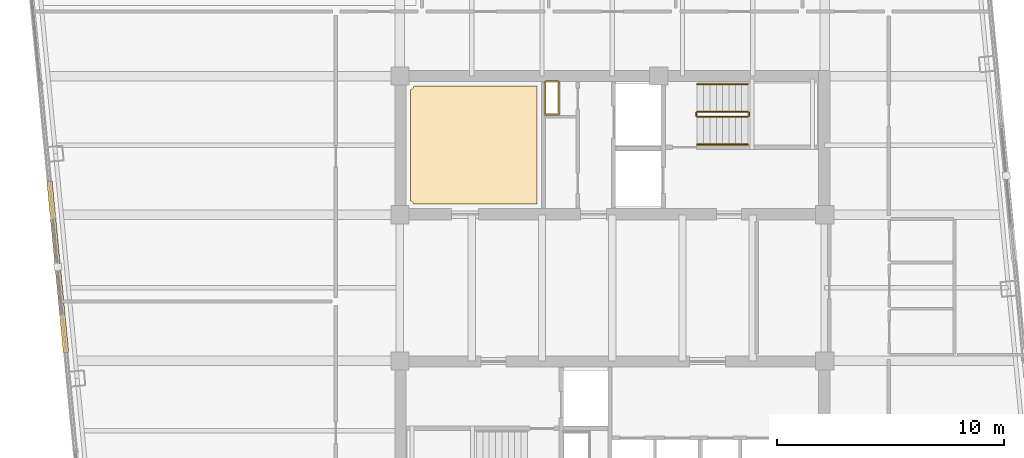
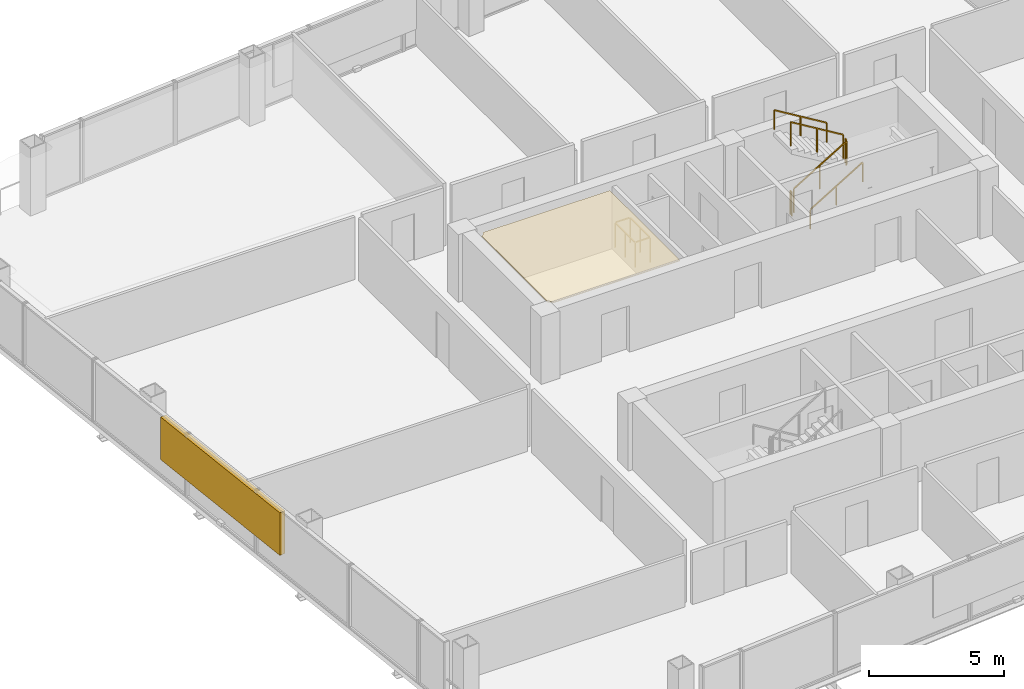
# One storey, part 21 of 22: 7 railings, 1 covering, 1 shading device.
"""IFC4 building model written with IfcOpenShell, lengths in metres."""

from ifc_helpers import new_model, si_unit, direction, frame, origin, origin_2d, place, context, subcontext, project, spatial, polyline, rectangle, outline, extrude, material, layer, layer_set, type_object, element, save


model = new_model("IFC4")

# Units and contexts
model_context = context("Model", 3, precision=1e-05, world=origin(), true_north=direction((0.0, 1.0)))
body_context = subcontext(model_context, "Body", "Model", "MODEL_VIEW")
ifc_project = project(units=[si_unit("LENGTHUNIT", "METRE"), si_unit("AREAUNIT", "SQUARE_METRE"), si_unit("VOLUMEUNIT", "CUBIC_METRE"), si_unit("PLANEANGLEUNIT", "RADIAN"), si_unit("MASSUNIT", "GRAM", prefix="KILO")], contexts=[model_context])

# Site, building, storey
site_placement = place(None, origin())
site = spatial("IfcSite", under=ifc_project, at=site_placement, CompositionType="ELEMENT")
building_placement = place(site_placement, origin())
building = spatial("IfcBuilding", under=site, at=building_placement, Name="Qhalaya Broadcast Tower", CompositionType="ELEMENT")
storey_placement = place(building_placement, frame((0.0, 0.0, 171.39990234375)))
storey = spatial("IfcBuildingStorey", under=building, at=storey_placement, Name="L50", CompositionType="ELEMENT", Elevation=171.39990234375)

# Covering
ifc_material_1 = material(Name="Acoustic Mineral-Fibre Ceiling")
ifc_layer = layer(ifc_material_1, 0.0400390625, Name="Acoustic Mineral-Fibre Ceiling")
ifc_layer_set = layer_set([ifc_layer], Name="Acoustic Mineral-Fibre Ceiling")
covering_type = type_object("IfcCoveringType", Name="Acoustic Mineral-Fibre Suspended Ceiling CLG-01", PredefinedType="CEILING", material=ifc_layer_set)
covering_placement = place(storey_placement, frame((0.0, 0.0, 2.7900390625)))
element("IfcCovering", 1, at=covering_placement, inside=storey, type_object=covering_type, Name="L50 Acoustic Suspended Ceiling 01", PredefinedType="CEILING", context=body_context, shape_type="SweptSolid", body=[
    extrude(outline(polyline([(-8.89697265625, 9.338623046875), (-8.89990234375, 9.337890625), (-8.89990234375, 4.437255859375), (-8.89697265625, 4.436279296875), (-8.87841796875, 4.4296875), (-8.860595703125, 4.42138671875), (-8.843994140625, 4.411376953125), (-8.828125, 4.399658203125), (-8.813720703125, 4.386474609375), (-8.80029296875, 4.371826171875), (-8.788818359375, 4.356201171875), (-8.778564453125, 4.33935546875), (-8.770263671875, 4.321533203125), (-8.763671875, 4.302978515625), (-8.7626953125, 4.300048828125), (-3.330078125, 4.300048828125), (-3.330078125, 9.5), (-8.757568359375, 9.5), (-8.7587890625, 9.490966796875), (-8.763671875, 9.471923828125), (-8.770263671875, 9.45361328125), (-8.778564453125, 9.435791015625), (-8.788818359375, 9.4189453125), (-8.80029296875, 9.403076171875), (-8.813720703125, 9.388671875), (-8.828125, 9.37548828125), (-8.843994140625, 9.36376953125), (-8.860595703125, 9.353515625), (-8.87841796875, 9.34521484375), (-8.89697265625, 9.338623046875)])), origin(), (0.0, 0.0, 1.0), 0.0400390625),
])

# Railings
ifc_material_2 = material(Name="Powder-Coated Galvanised Steel", Category="steel")
railing_type_1 = type_object("IfcRailingType", Name="Stair Wall Handrail 900", PredefinedType="HANDRAIL", material=ifc_material_2)
railing_1_placement = place(storey_placement, frame((3.75, 6.929931640625, 0.16943359375)))
element("IfcRailing", 2, at=railing_1_placement, inside=storey, type_object=railing_type_1, Name="L50 ST-1 Stair Handrail 1", PredefinedType="HANDRAIL", context=body_context, shape_type="SweptSolid", body=[
    extrude(rectangle(XDim=0.048095703125, YDim=0.048095703125, at=origin_2d()), frame((0.0, 0.0, 0.8759765625), z_axis=(0.855512035549, 0.0, 0.517782924622), x_axis=(0.0, 1.0, 0.0)), (0.0, 0.0, 1.0), 2.618408203125),
    extrude(rectangle(XDim=0.0419921875, YDim=0.0419921875, at=origin_2d()), origin(), (0.0, 0.0, 1.0), 0.849853515625),
    extrude(rectangle(XDim=0.0419921875, YDim=0.0419921875, at=origin_2d()), frame((1.1201171875, 0.0, 0.677734375)), (0.0, 0.0, 1.0), 0.849853515625),
    extrude(rectangle(XDim=0.0419921875, YDim=0.0419921875, at=origin_2d()), frame((2.239990234375, 0.0, 1.355712890625)), (0.0, 0.0, 1.0), 0.849853515625),
])
railing_2_placement = place(storey_placement, frame((5.989990234375, 9.590087890625, 1.694580078125)))
element("IfcRailing", 3, at=railing_2_placement, inside=storey, type_object=railing_type_1, Name="L50 ST-1 Stair Handrail 2", PredefinedType="HANDRAIL", context=body_context, shape_type="SweptSolid", body=[
    extrude(rectangle(XDim=0.048095703125, YDim=0.048095703125, at=origin_2d()), frame((0.0, 0.0, 0.8759765625), z_axis=(-0.855553338991, 0.0, 0.51771467445), x_axis=(0.0, -1.0, 0.0)), (0.0, 0.0, 1.0), 2.6181640625),
    extrude(rectangle(XDim=0.0419921875, YDim=0.0419921875, at=origin_2d()), origin(), (0.0, 0.0, 1.0), 0.849853515625),
    extrude(rectangle(XDim=0.0419921875, YDim=0.0419921875, at=origin_2d()), frame((-1.1201171875, 0.0, 0.677734375)), (0.0, 0.0, 1.0), 0.849853515625),
    extrude(rectangle(XDim=0.0419921875, YDim=0.0419921875, at=origin_2d()), frame((-2.239990234375, 0.0, 1.35546875)), (0.0, 0.0, 1.0), 0.849853515625),
])
railing_type_2 = type_object("IfcRailingType", Name="Stair Well & Landing Guardrail 1100", PredefinedType="GUARDRAIL", material=ifc_material_2)
railing_3_placement = place(storey_placement, frame((-2.340087890625, 8.239990234375, 0.0)))
element("IfcRailing", 4, at=railing_3_placement, inside=storey, type_object=railing_type_2, Name="L50 Service Riser Opening Safety Guard NRSR", PredefinedType="GUARDRAIL", context=body_context, shape_type="SweptSolid", body=[
    extrude(rectangle(XDim=0.048095703125, YDim=0.048095703125, at=origin_2d()), frame((0.0, 0.02880859375, 1.1259765625), z_axis=(0.0, 1.0, 0.0), x_axis=(-1.0, 0.0, 0.0)), (0.0, 0.0, 1.0), 1.42236328125),
    extrude(rectangle(XDim=0.048095703125, YDim=0.048095703125, at=origin_2d()), frame((-0.02880859375, 1.47998046875, 1.1259765625), z_axis=(-1.0, 0.0, 0.0), x_axis=(0.0, -1.0, 0.0)), (0.0, 0.0, 1.0), 0.582275390625),
    extrude(rectangle(XDim=0.048095703125, YDim=0.048095703125, at=origin_2d()), frame((-0.639892578125, 1.451171875, 1.1259765625), z_axis=(0.0, -1.0, 0.0), x_axis=(1.0, 0.0, 0.0)), (0.0, 0.0, 1.0), 1.42236328125),
    extrude(rectangle(XDim=0.048095703125, YDim=0.048095703125, at=origin_2d()), frame((-0.611083984375, 0.0, 1.1259765625), z_axis=(1.0, 0.0, 0.0), x_axis=(0.0, 1.0, 0.0)), (0.0, 0.0, 1.0), 0.582275390625),
    extrude(rectangle(XDim=0.0419921875, YDim=0.0419921875, at=origin_2d()), origin(), (0.0, 0.0, 1.0), 1.099853515625),
    extrude(rectangle(XDim=0.0419921875, YDim=0.0419921875, at=origin_2d()), frame((0.0, 0.739990234375, 0.0)), (0.0, 0.0, 1.0), 1.099853515625),
    extrude(rectangle(XDim=0.0419921875, YDim=0.0419921875, at=origin_2d()), frame((0.0, 1.47998046875, 0.0)), (0.0, 0.0, 1.0), 1.099853515625),
    extrude(rectangle(XDim=0.0419921875, YDim=0.0419921875, at=origin_2d()), frame((-0.639892578125, 1.47998046875, 0.0)), (0.0, 0.0, 1.0), 1.099853515625),
    extrude(rectangle(XDim=0.0419921875, YDim=0.0419921875, at=origin_2d()), frame((-0.639892578125, 0.739990234375, 0.0)), (0.0, 0.0, 1.0), 1.099853515625),
    extrude(rectangle(XDim=0.0419921875, YDim=0.0419921875, at=origin_2d()), frame((-0.639892578125, 0.0, 0.0)), (0.0, 0.0, 1.0), 1.099853515625),
])
railing_4_placement = place(storey_placement, frame((3.75, 8.14990234375, 0.16943359375)))
element("IfcRailing", 5, at=railing_4_placement, inside=storey, type_object=railing_type_2, Name="L50 ST-1 Stair Guard 1", PredefinedType="GUARDRAIL", context=body_context, shape_type="SweptSolid", body=[
    extrude(rectangle(XDim=0.048095703125, YDim=0.048095703125, at=origin_2d()), frame((0.0, 0.0, 1.076171875), z_axis=(0.855512035549, 0.0, 0.517782924622), x_axis=(0.0, 1.0, 0.0)), (0.0, 0.0, 1.0), 2.618408203125),
    extrude(rectangle(XDim=0.0419921875, YDim=0.0419921875, at=origin_2d()), origin(), (0.0, 0.0, 1.0), 1.050048828125),
    extrude(rectangle(XDim=0.0419921875, YDim=0.0419921875, at=origin_2d()), frame((1.1201171875, 0.0, 0.677734375)), (0.0, 0.0, 1.0), 1.050048828125),
    extrude(rectangle(XDim=0.0419921875, YDim=0.0419921875, at=origin_2d()), frame((2.239990234375, 0.0, 1.355712890625)), (0.0, 0.0, 1.0), 1.050048828125),
])
railing_5_placement = place(storey_placement, frame((6.0400390625, 8.199951171875, 1.525146484375)))
element("IfcRailing", 6, at=railing_5_placement, inside=storey, type_object=railing_type_2, Name="L50 ST-1 Stair Guard 2", PredefinedType="GUARDRAIL", context=body_context, shape_type="SweptSolid", body=[
    extrude(rectangle(XDim=0.048095703125, YDim=0.048095703125, at=origin_2d()), frame((0.0, 0.0, 1.076171875), z_axis=(0.0, 1.0, 0.0), x_axis=(-1.0, 0.0, 0.0)), (0.0, 0.0, 1.0), 0.1201171875),
    extrude(rectangle(XDim=0.0419921875, YDim=0.0419921875, at=origin_2d()), origin(), (0.0, 0.0, 1.0), 1.050048828125),
    extrude(rectangle(XDim=0.0419921875, YDim=0.0419921875, at=origin_2d()), frame((0.0, 0.1201171875, 0.0)), (0.0, 0.0, 1.0), 1.050048828125),
])
railing_6_placement = place(storey_placement, frame((5.989990234375, 8.3701171875, 1.694580078125)))
element("IfcRailing", 7, at=railing_6_placement, inside=storey, type_object=railing_type_2, Name="L50 ST-1 Stair Guard 3", PredefinedType="GUARDRAIL", context=body_context, shape_type="SweptSolid", body=[
    extrude(rectangle(XDim=0.048095703125, YDim=0.048095703125, at=origin_2d()), frame((0.0, 0.0, 1.076171875), z_axis=(-0.855553338991, 0.0, 0.51771467445), x_axis=(0.0, -1.0, 0.0)), (0.0, 0.0, 1.0), 2.6181640625),
    extrude(rectangle(XDim=0.0419921875, YDim=0.0419921875, at=origin_2d()), origin(), (0.0, 0.0, 1.0), 1.050048828125),
    extrude(rectangle(XDim=0.0419921875, YDim=0.0419921875, at=origin_2d()), frame((-1.1201171875, 0.0, 0.677734375)), (0.0, 0.0, 1.0), 1.050048828125),
    extrude(rectangle(XDim=0.0419921875, YDim=0.0419921875, at=origin_2d()), frame((-2.239990234375, 0.0, 1.35546875)), (0.0, 0.0, 1.0), 1.050048828125),
])
railing_7_placement = place(storey_placement, frame((3.699951171875, 8.199951171875, 0.0)))
element("IfcRailing", 8, at=railing_7_placement, inside=storey, type_object=railing_type_2, Name="L50 ST-1 Stair Guard 4", PredefinedType="GUARDRAIL", context=body_context, shape_type="SweptSolid", body=[
    extrude(rectangle(XDim=0.048095703125, YDim=0.048095703125, at=origin_2d()), frame((0.0, 0.0, 1.076171875), z_axis=(0.0, 1.0, 0.0), x_axis=(-1.0, 0.0, 0.0)), (0.0, 0.0, 1.0), 0.1201171875),
    extrude(rectangle(XDim=0.0419921875, YDim=0.0419921875, at=origin_2d()), origin(), (0.0, 0.0, 1.0), 1.050048828125),
    extrude(rectangle(XDim=0.0419921875, YDim=0.0419921875, at=origin_2d()), frame((0.0, 0.1201171875, 0.0)), (0.0, 0.0, 1.0), 1.050048828125),
])

# Shading device
ifc_material_3 = material(Name="Fired Architectural Terracotta", Category="masonry")
shading_device_type = type_object("IfcShadingDeviceType", Name="Terracotta Baguette Solar Screen Assembly TBS-01", PredefinedType="USERDEFINED", material=ifc_material_3)
shading_device_placement = place(storey_placement, frame((-24.47314453125, 1.5244140625, 0.79248046875), z_axis=(0.0, 0.0, 1.0), x_axis=(0.09584575252, -0.995396198367, 0.0)))
element("IfcShadingDevice", 9, at=shading_device_placement, inside=storey, type_object=shading_device_type, Name="L50 Fired Terracotta Baguette Screen W", ObjectType="BAGUETTE", PredefinedType="USERDEFINED", context=body_context, shape_type="SweptSolid", body=[
    extrude(rectangle(XDim=7.60009765625, YDim=0.239990234375, at=origin_2d()), origin(), (0.0, 0.0, 1.0), 1.924072265625),
])

save(model, "model.ifc")
